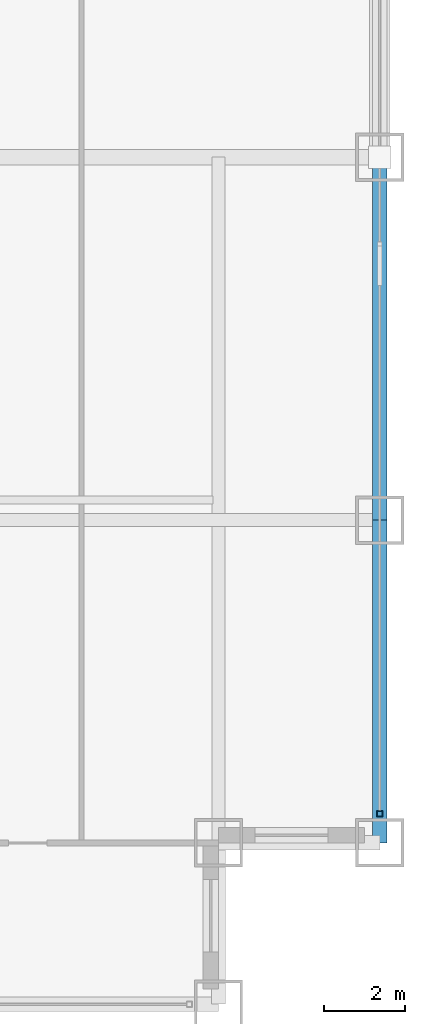
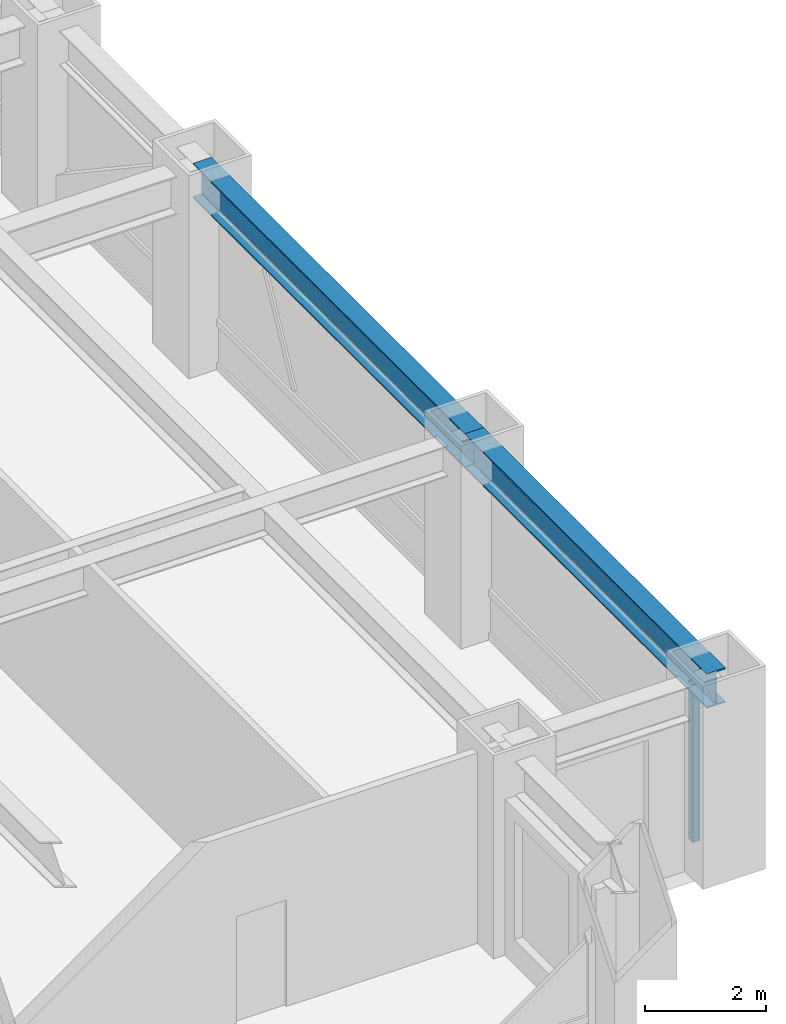
# One storey, part 12 of 27: 2 beams, 1 member, 1 element without a shape of its own.
"""IFC4 building model written with IfcOpenShell, lengths in metres."""

from ifc_helpers import new_model, si_unit, direction, frame, origin, origin_2d, place, context, subcontext, project, spatial, hollow_rectangle, i_section, extrude, source, transform, mapped, material, material_profile, profile_set, type_object, element, aggregate, save


model = new_model("IFC4")

# Units and contexts
model_context = context("Model", 3, precision=1e-05, world=origin(), true_north=direction((0.0, 1.0)))
body_context = subcontext(model_context, "Body", "Model", "MODEL_VIEW")
ifc_project = project(units=[si_unit("LENGTHUNIT", "METRE"), si_unit("AREAUNIT", "SQUARE_METRE"), si_unit("VOLUMEUNIT", "CUBIC_METRE"), si_unit("PLANEANGLEUNIT", "RADIAN"), si_unit("MASSUNIT", "GRAM", prefix="KILO")], contexts=[model_context])

# Site, building, storey
site_placement = place(None, origin())
site = spatial("IfcSite", under=ifc_project, at=site_placement, CompositionType="ELEMENT")
building_placement = place(site_placement, origin())
building = spatial("IfcBuilding", under=site, at=building_placement, Name="Khorayat Bourse Tower", CompositionType="ELEMENT")
storey_placement = place(building_placement, frame((0.0, 0.0, 140.60009765625)))
storey = spatial("IfcBuildingStorey", under=building, at=storey_placement, Name="L32", CompositionType="ELEMENT", Elevation=140.60009765625)

# Beams
ifc_material_1 = material(Name="Steel ASTM A992 Grade 50", Category="steel")
ifc_material_profile_1 = material_profile(ifc_material_1, i_section(OverallWidth=0.35498046875, OverallDepth=0.695068359375, WebThickness=0.015380859375, FlangeThickness=0.02490234375, FilletRadius=0.01806640625, at=origin_2d()), Name="W690X217")
ifc_profile_set_1 = profile_set([ifc_material_profile_1], Name="Steel ASTM A992 Grade 50")
beam_type = type_object("IfcBeamType", Name="BM-SPAN-690", PredefinedType="SPANDREL", material=ifc_profile_set_1)
shared_shape_1 = source(origin(), body_context, "Body", "SweptSolid", [
    extrude(i_section(OverallWidth=0.35498046875, OverallDepth=0.695068359375, WebThickness=0.015380859375, FlangeThickness=0.02490234375, FilletRadius=0.01806640625, at=origin_2d()), origin(), (0.0, 0.0, 1.0), 9.0),
])
beam_1_placement = place(storey_placement, frame((32.0, -20.0, 3.492431640625), z_axis=(0.0, 1.0, 0.0), x_axis=(-1.0, 0.0, 0.0)))
element("IfcBeam", 1, at=beam_1_placement, inside=storey, type_object=beam_type, Name="L32 BM-SPAN-690 BM-L32-SPN-035", PredefinedType="SPANDREL", context=body_context, shape_type="MappedRepresentation", body=[
    mapped(shared_shape_1, transform((0.0, 0.0, 0.0), scale=1.0)),
])
shared_shape_2 = source(origin(), body_context, "Body", "SweptSolid", [
    extrude(i_section(OverallWidth=0.35498046875, OverallDepth=0.695068359375, WebThickness=0.015380859375, FlangeThickness=0.02490234375, FilletRadius=0.01806640625, at=origin_2d()), origin(), (0.0, 0.0, 1.0), 8.0),
])
beam_2_placement = place(storey_placement, frame((32.0, -28.0, 3.492431640625), z_axis=(0.0, 1.0, 0.0), x_axis=(-1.0, 0.0, 0.0)))
element("IfcBeam", 2, at=beam_2_placement, inside=storey, type_object=beam_type, Name="L32 BM-SPAN-690 BM-L32-SPN-034", PredefinedType="SPANDREL", context=body_context, shape_type="MappedRepresentation", body=[
    mapped(shared_shape_2, transform((0.0, 0.0, 0.0), scale=1.0)),
])

# Curtain wall, member
ifc_material_2 = material(Name="Aluminium EN AW-6063 T6", Category="aluminium")
curtain_wall_type = type_object("IfcCurtainWallType", Name="CW-SYS-02", PredefinedType="NOTDEFINED", material=ifc_material_2)
curtain_wall_placement = place(storey_placement, origin())
curtain_wall = element("IfcCurtainWall", 3, at=curtain_wall_placement, inside=storey, type_object=curtain_wall_type, Name="L32 Curtain Wall CW-L32-E1", PredefinedType="NOTDEFINED")
ifc_material_profile_2 = material_profile(ifc_material_2, hollow_rectangle(XDim=0.139892578125, YDim=0.139892578125, WallThickness=0.006103515625, at=origin_2d()), Name="ALU 140x140x6")
ifc_profile_set_2 = profile_set([ifc_material_profile_2], Name="Aluminium EN AW-6063 T6")
member_type = type_object("IfcMemberType", Name="CWM-VERT-140", PredefinedType="MULLION", material=ifc_profile_set_2)
shared_shape_3 = source(origin(), body_context, "Body", "SweptSolid", [
    extrude(hollow_rectangle(XDim=0.139892578125, YDim=0.139892578125, WallThickness=0.006103515625, at=origin_2d()), origin(), (0.0, 0.0, 1.0), 3.18994140625),
])
member_placement = place(storey_placement, frame((32.0, -27.280029296875, 0.0), z_axis=(0.0, 0.0, 1.0), x_axis=(-1.0, 0.0, 0.0)))
member = element("IfcMember", 4, at=member_placement, type_object=member_type, Name="CW-L32-E1 Vertical Mullion 1", PredefinedType="MULLION", context=body_context, shape_type="MappedRepresentation", body=[
    mapped(shared_shape_3, transform((0.0, 0.0, 0.0), scale=1.0)),
])
aggregate(curtain_wall, [member])

save(model, "model.ifc")
